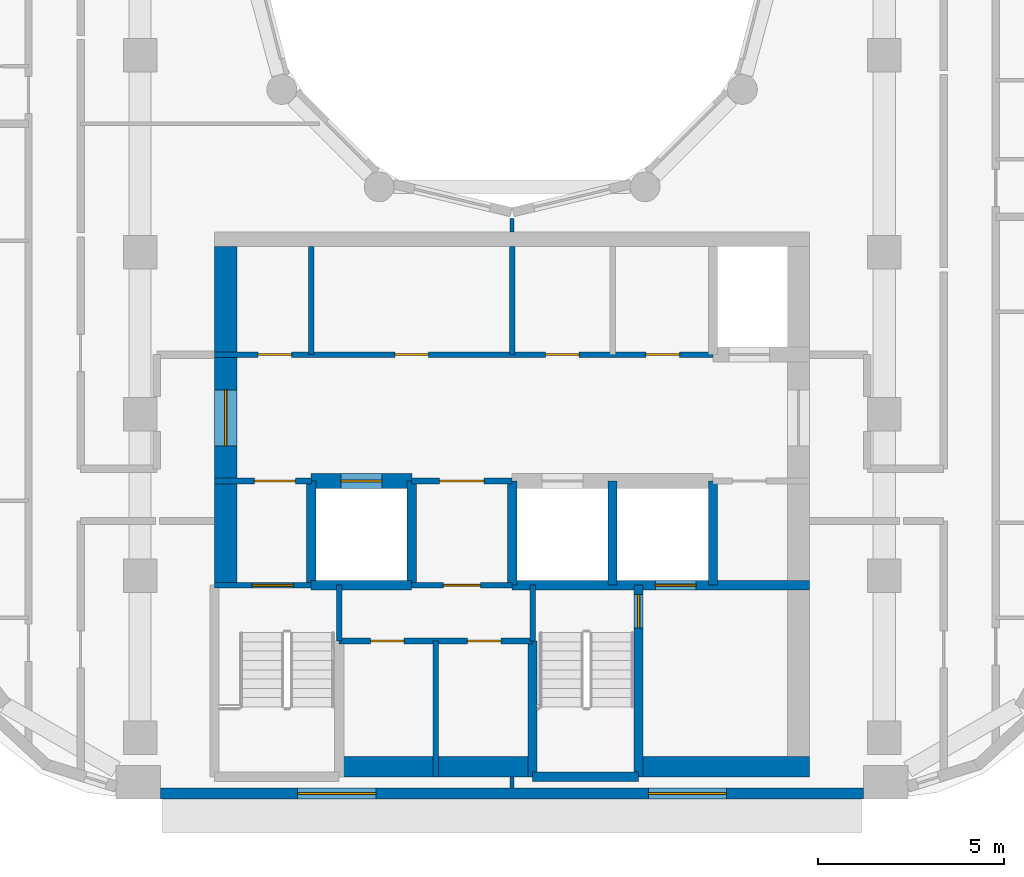
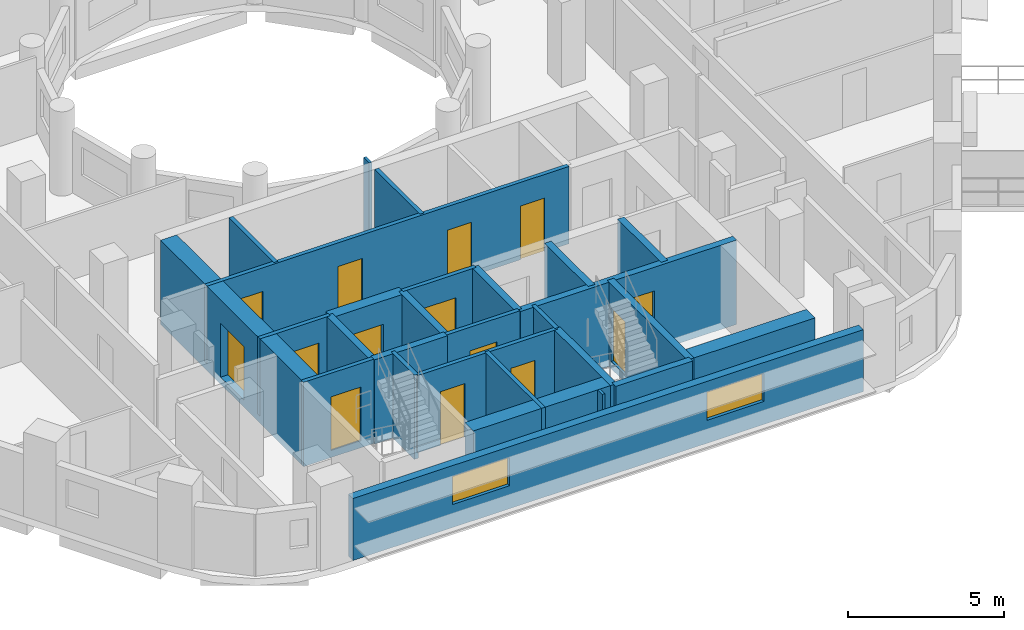
# One storey, part 3 of 16: 28 walls, 14 doors, 2 windows, 16 openings.
"""IFC4 building model written with IfcOpenShell, lengths in metres."""

from ifc_helpers import new_model, si_unit, direction, frame, frame_2d, origin, place, context, subcontext, project, spatial, rectangle, extrude, material, layer, layer_set, type_object, element, fill, save


model = new_model("IFC4")

# Units and contexts
model_context = context("Model", 3, precision=1e-05, world=origin(), true_north=direction((0.0, 1.0)))
body_context = subcontext(model_context, "Body", "Model", "MODEL_VIEW")
ifc_project = project(units=[si_unit("LENGTHUNIT", "METRE"), si_unit("AREAUNIT", "SQUARE_METRE"), si_unit("VOLUMEUNIT", "CUBIC_METRE"), si_unit("PLANEANGLEUNIT", "RADIAN"), si_unit("MASSUNIT", "GRAM", prefix="KILO")], contexts=[model_context])

# Site, building, storey
site_placement = place(None, origin())
site = spatial("IfcSite", under=ifc_project, at=site_placement, CompositionType="ELEMENT")
building_placement = place(site_placement, origin())
building = spatial("IfcBuilding", under=site, at=building_placement, Name="Nakaniwa Court", CompositionType="ELEMENT")
storey_placement = place(building_placement, frame((0.0, 0.0, 196.5)))
storey = spatial("IfcBuildingStorey", under=building, at=storey_placement, Name="L51", CompositionType="ELEMENT", Elevation=196.5)

# Wall, openings, windows
ifc_material_1 = material(Name="Charcoal ceramic cladding")
ifc_layer_1 = layer(ifc_material_1, 0.02, Name="Ceramic cladding")
ifc_material_2 = material(Name="Ventilated air cavity")
ifc_layer_2 = layer(ifc_material_2, 0.04, ventilated=True, Name="Ventilated cavity")
ifc_material_3 = material(Name="Mineral wool insulation")
ifc_layer_3 = layer(ifc_material_3, 0.1, Name="Insulation")
ifc_material_4 = material(Name="Cement bonded sheathing board")
ifc_layer_4 = layer(ifc_material_4, 0.012, Name="Sheathing")
ifc_material_5 = material(Name="Cold-formed galvanised stud frame with mineral wool infill")
ifc_layer_5 = layer(ifc_material_5, 0.1, Name="Stud frame")
ifc_material_6 = material(Name="Fire-rated gypsum plasterboard lining")
ifc_layer_6 = layer(ifc_material_6, 0.028, Name="Lining")
ifc_layer_set_1 = layer_set([ifc_layer_1, ifc_layer_2, ifc_layer_3, ifc_layer_4, ifc_layer_5, ifc_layer_6], Name="Charcoal ceramic faced external wall system")
wall_type_1 = type_object("IfcWallType", Name="Black ceramic faced external wall 300", PredefinedType="SOLIDWALL", material=ifc_layer_set_1)
wall_1_placement = place(storey_placement, frame((70.55078125, 57.5, 0.0), z_axis=(0.0, 0.0, 1.0), x_axis=(1.0, 0.0, 0.0)))
wall_1 = element("IfcWall", 1, at=wall_1_placement, inside=storey, type_object=wall_type_1, Name="L51 external wall 26", PredefinedType="SOLIDWALL", context=body_context, shape_type="SweptSolid", body=[
    extrude(rectangle(XDim=18.892822265625, YDim=0.300048828125, at=frame_2d((9.4462890625, 0.0))), origin(), (0.0, 0.0, 1.0), 2.425048828125),
])
opening_1_placement = place(wall_1_placement, frame((3.6865234375, 0.0, 0.89990234375)))
opening_1 = element("IfcOpeningElement", 2, at=opening_1_placement, cuts=wall_1, Name="Opening W7.26", PredefinedType="OPENING", context=body_context, shape_type="SweptSolid", body=[
    extrude(rectangle(XDim=2.10009765625, YDim=1.10009765625, at=frame_2d((1.050048828125, 0.550048828125))), frame((0.0, 0.159912109375, 0.0), z_axis=(0.0, -1.0, 0.0), x_axis=(1.0, 0.0, 0.0)), (0.0, 0.0, 1.0), 0.320068359375),
])
opening_2_placement = place(wall_1_placement, frame((13.10888671875, 0.0, 0.89990234375)))
opening_2 = element("IfcOpeningElement", 3, at=opening_2_placement, cuts=wall_1, Name="Opening W7.27", PredefinedType="OPENING", context=body_context, shape_type="SweptSolid", body=[
    extrude(rectangle(XDim=2.10009765625, YDim=1.10009765625, at=frame_2d((1.050048828125, 0.550048828125))), frame((0.0, 0.159912109375, 0.0), z_axis=(0.0, -1.0, 0.0), x_axis=(1.0, 0.0, 0.0)), (0.0, 0.0, 1.0), 0.320068359375),
])
ifc_material_7 = material(Name="Black anodised aluminium frame with dark low-E laminated double glazing", Category="aluminium")
window_type = type_object("IfcWindowType", Name="Dark glass window 2100x1100 sill 900", PartitioningType="SINGLE_PANEL", PredefinedType="WINDOW", material=ifc_material_7)
window_1_placement = place(opening_1_placement, origin())
window_1 = element("IfcWindow", 4, at=window_1_placement, inside=storey, type_object=window_type, Name="L51 habitable room window 26-0", OverallHeight=1.10009765625, OverallWidth=2.10009765625, PartitioningType="SINGLE_PANEL", PredefinedType="WINDOW", context=body_context, shape_type="SweptSolid", body=[
    extrude(rectangle(XDim=2.10009765625, YDim=1.10009765625, at=frame_2d((1.050048828125, 0.550048828125))), frame((0.0, 0.030029296875, 0.0), z_axis=(0.0, -1.0, 0.0), x_axis=(1.0, 0.0, 0.0)), (0.0, 0.0, 1.0), 0.06005859375),
])
fill(opening_1, window_1)
window_2_placement = place(opening_2_placement, origin())
window_2 = element("IfcWindow", 5, at=window_2_placement, inside=storey, type_object=window_type, Name="L51 habitable room window 26-1", OverallHeight=1.10009765625, OverallWidth=2.10009765625, PartitioningType="SINGLE_PANEL", PredefinedType="WINDOW", context=body_context, shape_type="SweptSolid", body=[
    extrude(rectangle(XDim=2.10009765625, YDim=1.10009765625, at=frame_2d((1.050048828125, 0.550048828125))), frame((0.0, 0.030029296875, 0.0), z_axis=(0.0, -1.0, 0.0), x_axis=(1.0, 0.0, 0.0)), (0.0, 0.0, 1.0), 0.06005859375),
])
fill(opening_2, window_2)

# Wall
ifc_material_8 = material(Name="Blockwork partition", Category="masonry")
ifc_layer_7 = layer(ifc_material_8, 0.14990234375)
ifc_layer_set_2 = layer_set([ifc_layer_7], Name="Blockwork partition")
wall_type_2 = type_object("IfcWallType", Name="Blockwork partition 150", PredefinedType="PARTITIONING", material=ifc_layer_set_2)
wall_2_placement = place(storey_placement, frame((74.60009765625, 69.300048828125, 0.0), z_axis=(0.0, 0.0, 1.0), x_axis=(0.0, 1.0, 0.0)))
element("IfcWall", 6, at=wall_2_placement, inside=storey, type_object=wall_type_2, Name="Partition PW-035", PredefinedType="PARTITIONING", context=body_context, shape_type="SweptSolid", body=[
    extrude(rectangle(XDim=2.89990234375, YDim=0.14990234375, at=frame_2d((1.449951171875, 0.0))), origin(), (0.0, 0.0, 1.0), 3.02490234375),
])

# Wall, openings, doors
wall_3_placement = place(storey_placement, frame((72.0, 69.300048828125, 0.0), z_axis=(0.0, 0.0, 1.0), x_axis=(1.0, 0.0, 0.0)))
wall_3 = element("IfcWall", 7, at=wall_3_placement, inside=storey, type_object=wall_type_2, Name="Partition PW-036", PredefinedType="PARTITIONING", context=body_context, shape_type="SweptSolid", body=[
    extrude(rectangle(XDim=13.39990234375, YDim=0.14990234375, at=frame_2d((6.699951171875, 0.0))), origin(), (0.0, 0.0, 1.0), 3.02490234375),
])
opening_3_placement = place(wall_3_placement, frame((1.175048828125, 0.0, 0.0)))
opening_3 = element("IfcOpeningElement", 8, at=opening_3_placement, cuts=wall_3, Name="Opening D-05-08", PredefinedType="OPENING", context=body_context, shape_type="SweptSolid", body=[
    extrude(rectangle(XDim=0.89990234375, YDim=2.10009765625, at=frame_2d((0.449951171875, 1.050048828125))), frame((0.0, 0.0849609375, 0.0), z_axis=(0.0, -1.0, 0.0), x_axis=(1.0, 0.0, 0.0)), (0.0, 0.0, 1.0), 0.169921875),
])
opening_4_placement = place(wall_3_placement, frame((4.85009765625, 0.0, 0.0)))
opening_4 = element("IfcOpeningElement", 9, at=opening_4_placement, cuts=wall_3, Name="Opening D-05-09", PredefinedType="OPENING", context=body_context, shape_type="SweptSolid", body=[
    extrude(rectangle(XDim=0.89990234375, YDim=2.10009765625, at=frame_2d((0.449951171875, 1.050048828125))), frame((0.0, 0.0849609375, 0.0), z_axis=(0.0, -1.0, 0.0), x_axis=(1.0, 0.0, 0.0)), (0.0, 0.0, 1.0), 0.169921875),
])
opening_5_placement = place(wall_3_placement, frame((8.89990234375, 0.0, 0.0)))
opening_5 = element("IfcOpeningElement", 10, at=opening_5_placement, cuts=wall_3, Name="Opening D-05-10", PredefinedType="OPENING", context=body_context, shape_type="SweptSolid", body=[
    extrude(rectangle(XDim=0.89990234375, YDim=2.10009765625, at=frame_2d((0.449951171875, 1.050048828125))), frame((0.0, 0.0849609375, 0.0), z_axis=(0.0, -1.0, 0.0), x_axis=(1.0, 0.0, 0.0)), (0.0, 0.0, 1.0), 0.169921875),
])
opening_6_placement = place(wall_3_placement, frame((11.60009765625, 0.0, 0.0)))
opening_6 = element("IfcOpeningElement", 11, at=opening_6_placement, cuts=wall_3, Name="Opening D-05-11", PredefinedType="OPENING", context=body_context, shape_type="SweptSolid", body=[
    extrude(rectangle(XDim=0.89990234375, YDim=2.10009765625, at=frame_2d((0.449951171875, 1.050048828125))), frame((0.0, 0.0849609375, 0.0), z_axis=(0.0, -1.0, 0.0), x_axis=(1.0, 0.0, 0.0)), (0.0, 0.0, 1.0), 0.169921875),
])
ifc_material_9 = material(Name="Fire rated steel door set", Category="steel")
door_type_1 = type_object("IfcDoorType", Name="Service room door 900", OperationType="NOTDEFINED", PredefinedType="DOOR", material=ifc_material_9)
door_1_placement = place(opening_3_placement, origin())
door_1 = element("IfcDoor", 12, at=door_1_placement, inside=storey, type_object=door_type_1, Name="Door D-05-08 L51-013", OperationType="SINGLE_SWING_RIGHT", OverallHeight=2.10009765625, OverallWidth=0.89990234375, PredefinedType="DOOR", context=body_context, shape_type="SweptSolid", body=[
    extrude(rectangle(XDim=0.89990234375, YDim=2.10009765625, at=frame_2d((0.449951171875, 1.050048828125))), frame((0.0, 0.02490234375, 0.0), z_axis=(0.0, -1.0, 0.0), x_axis=(1.0, 0.0, 0.0)), (0.0, 0.0, 1.0), 0.050048828125),
])
fill(opening_3, door_1)
door_2_placement = place(opening_4_placement, origin())
door_2 = element("IfcDoor", 13, at=door_2_placement, inside=storey, type_object=door_type_1, Name="Door D-05-09 L51-014", OperationType="SINGLE_SWING_LEFT", OverallHeight=2.10009765625, OverallWidth=0.89990234375, PredefinedType="DOOR", context=body_context, shape_type="SweptSolid", body=[
    extrude(rectangle(XDim=0.89990234375, YDim=2.10009765625, at=frame_2d((0.449951171875, 1.050048828125))), frame((0.0, 0.02490234375, 0.0), z_axis=(0.0, -1.0, 0.0), x_axis=(1.0, 0.0, 0.0)), (0.0, 0.0, 1.0), 0.050048828125),
])
fill(opening_4, door_2)
door_3_placement = place(opening_5_placement, origin())
door_3 = element("IfcDoor", 14, at=door_3_placement, inside=storey, type_object=door_type_1, Name="Door D-05-10 L51-015", OperationType="SINGLE_SWING_RIGHT", OverallHeight=2.10009765625, OverallWidth=0.89990234375, PredefinedType="DOOR", context=body_context, shape_type="SweptSolid", body=[
    extrude(rectangle(XDim=0.89990234375, YDim=2.10009765625, at=frame_2d((0.449951171875, 1.050048828125))), frame((0.0, 0.02490234375, 0.0), z_axis=(0.0, -1.0, 0.0), x_axis=(1.0, 0.0, 0.0)), (0.0, 0.0, 1.0), 0.050048828125),
])
fill(opening_5, door_3)
door_4_placement = place(opening_6_placement, origin())
door_4 = element("IfcDoor", 15, at=door_4_placement, inside=storey, type_object=door_type_1, Name="Door D-05-11 L51-016", OperationType="SINGLE_SWING_LEFT", OverallHeight=2.10009765625, OverallWidth=0.89990234375, PredefinedType="DOOR", context=body_context, shape_type="SweptSolid", body=[
    extrude(rectangle(XDim=0.89990234375, YDim=2.10009765625, at=frame_2d((0.449951171875, 1.050048828125))), frame((0.0, 0.02490234375, 0.0), z_axis=(0.0, -1.0, 0.0), x_axis=(1.0, 0.0, 0.0)), (0.0, 0.0, 1.0), 0.050048828125),
])
fill(opening_6, door_4)

# Wall
wall_4_placement = place(storey_placement, frame((80.0, 69.300048828125, 0.0), z_axis=(0.0, 0.0, 1.0), x_axis=(0.0, 1.0, 0.0)))
element("IfcWall", 16, at=wall_4_placement, inside=storey, type_object=wall_type_2, Name="Partition PW-042", PredefinedType="PARTITIONING", context=body_context, shape_type="SweptSolid", body=[
    extrude(rectangle(XDim=2.89990234375, YDim=0.14990234375, at=frame_2d((1.449951171875, 0.0))), origin(), (0.0, 0.0, 1.0), 3.02490234375),
])

# Wall, opening, door
wall_5_placement = place(storey_placement, frame((74.60302734375, 65.89990234375, 0.0), z_axis=(0.0, 0.0, 1.0), x_axis=(-1.0, 0.0, 0.0)))
wall_5 = element("IfcWall", 17, at=wall_5_placement, inside=storey, type_object=wall_type_2, Name="Partition PW-044", PredefinedType="PARTITIONING", context=body_context, shape_type="SweptSolid", body=[
    extrude(rectangle(XDim=2.60302734375, YDim=0.14990234375, at=frame_2d((1.301513671875, 0.0))), origin(), (0.0, 0.0, 1.0), 3.02490234375),
])
opening_7_placement = place(wall_5_placement, frame((0.427978515625, 0.0, 0.0)))
opening_7 = element("IfcOpeningElement", 18, at=opening_7_placement, cuts=wall_5, Name="Opening D-08-02", PredefinedType="OPENING", context=body_context, shape_type="SweptSolid", body=[
    extrude(rectangle(XDim=1.10009765625, YDim=2.10009765625, at=frame_2d((0.550048828125, 1.050048828125))), frame((0.0, 0.0849609375, 0.0), z_axis=(0.0, -1.0, 0.0), x_axis=(1.0, 0.0, 0.0)), (0.0, 0.0, 1.0), 0.169921875),
])
door_type_2 = type_object("IfcDoorType", Name="Stair lobby door 1100", OperationType="NOTDEFINED", PredefinedType="DOOR", material=ifc_material_9)
door_5_placement = place(opening_7_placement, origin())
door_5 = element("IfcDoor", 19, at=door_5_placement, inside=storey, type_object=door_type_2, Name="Door D-08-02 L51-017", OperationType="SINGLE_SWING_RIGHT", OverallHeight=2.10009765625, OverallWidth=1.10009765625, PredefinedType="DOOR", context=body_context, shape_type="SweptSolid", body=[
    extrude(rectangle(XDim=1.10009765625, YDim=2.10009765625, at=frame_2d((0.550048828125, 1.050048828125))), frame((0.0, 0.02490234375, 0.0), z_axis=(0.0, -1.0, 0.0), x_axis=(1.0, 0.0, 0.0)), (0.0, 0.0, 1.0), 0.050048828125),
])
fill(opening_7, door_5)

wall_6_placement = place(storey_placement, frame((80.0029296875, 65.89990234375, 0.0), z_axis=(0.0, 0.0, 1.0), x_axis=(-1.0, 0.0, 0.0)))
wall_6 = element("IfcWall", 20, at=wall_6_placement, inside=storey, type_object=wall_type_2, Name="Partition PW-045", PredefinedType="PARTITIONING", context=body_context, shape_type="SweptSolid", body=[
    extrude(rectangle(XDim=2.705810546875, YDim=0.14990234375, at=frame_2d((1.35302734375, 0.0))), origin(), (0.0, 0.0, 1.0), 3.02490234375),
])
opening_8_placement = place(wall_6_placement, frame((0.7529296875, 0.0, 0.0)))
opening_8 = element("IfcOpeningElement", 21, at=opening_8_placement, cuts=wall_6, Name="Opening D-06-02", PredefinedType="OPENING", context=body_context, shape_type="SweptSolid", body=[
    extrude(rectangle(XDim=1.199951171875, YDim=2.10009765625, at=frame_2d((0.60009765625, 1.050048828125))), frame((0.0, 0.0849609375, 0.0), z_axis=(0.0, -1.0, 0.0), x_axis=(1.0, 0.0, 0.0)), (0.0, 0.0, 1.0), 0.169921875),
])
ifc_material_10 = material(Name="Fire rated steel double door set", Category="steel")
door_type_3 = type_object("IfcDoorType", Name="Service passage double door 1200", OperationType="NOTDEFINED", PredefinedType="DOOR", material=ifc_material_10)
door_6_placement = place(opening_8_placement, origin())
door_6 = element("IfcDoor", 22, at=door_6_placement, inside=storey, type_object=door_type_3, Name="Door D-06-02 L51-018", OperationType="DOUBLE_DOOR_SINGLE_SWING", OverallHeight=2.10009765625, OverallWidth=1.199951171875, PredefinedType="DOOR", context=body_context, shape_type="SweptSolid", body=[
    extrude(rectangle(XDim=1.199951171875, YDim=2.10009765625, at=frame_2d((0.60009765625, 1.050048828125))), frame((0.0, 0.02490234375, 0.0), z_axis=(0.0, -1.0, 0.0), x_axis=(1.0, 0.0, 0.0)), (0.0, 0.0, 1.0), 0.050048828125),
])
fill(opening_8, door_6)

wall_7_placement = place(storey_placement, frame((80.0, 63.10009765625, 0.0), z_axis=(0.0, 0.0, 1.0), x_axis=(-1.0, 0.0, 0.0)))
wall_7 = element("IfcWall", 23, at=wall_7_placement, inside=storey, type_object=wall_type_2, Name="Partition PW-055", PredefinedType="PARTITIONING", context=body_context, shape_type="SweptSolid", body=[
    extrude(rectangle(XDim=2.699951171875, YDim=0.14990234375, at=frame_2d((1.35009765625, 0.0))), origin(), (0.0, 0.0, 1.0), 3.02490234375),
])
opening_9_placement = place(wall_7_placement, frame((0.85009765625, 0.0, 0.0)))
opening_9 = element("IfcOpeningElement", 24, at=opening_9_placement, cuts=wall_7, Name="Opening D-23-02", PredefinedType="OPENING", context=body_context, shape_type="SweptSolid", body=[
    extrude(rectangle(XDim=1.0, YDim=2.10009765625, at=frame_2d((0.5, 1.050048828125))), frame((0.0, 0.0849609375, 0.0), z_axis=(0.0, -1.0, 0.0), x_axis=(1.0, 0.0, 0.0)), (0.0, 0.0, 1.0), 0.169921875),
])
door_type_4 = type_object("IfcDoorType", Name="Service room door 1000", OperationType="NOTDEFINED", PredefinedType="DOOR", material=ifc_material_9)
door_7_placement = place(opening_9_placement, origin())
door_7 = element("IfcDoor", 25, at=door_7_placement, inside=storey, type_object=door_type_4, Name="Door D-23-02 L51-020", OperationType="SINGLE_SWING_LEFT", OverallHeight=2.10009765625, OverallWidth=1.0, PredefinedType="DOOR", context=body_context, shape_type="SweptSolid", body=[
    extrude(rectangle(XDim=1.0, YDim=2.10009765625, at=frame_2d((0.5, 1.050048828125))), frame((0.0, 0.02490234375, 0.0), z_axis=(0.0, -1.0, 0.0), x_axis=(1.0, 0.0, 0.0)), (0.0, 0.0, 1.0), 0.050048828125),
])
fill(opening_9, door_7)

# Wall, openings, doors
wall_8_placement = place(storey_placement, frame((80.550048828125, 61.60009765625, 0.0), z_axis=(0.0, 0.0, 1.0), x_axis=(-1.0, 0.0, 0.0)))
wall_8 = element("IfcWall", 26, at=wall_8_placement, inside=storey, type_object=wall_type_2, Name="Partition PW-067", PredefinedType="PARTITIONING", context=body_context, shape_type="SweptSolid", body=[
    extrude(rectangle(XDim=5.199951171875, YDim=0.14990234375, at=frame_2d((2.60009765625, 0.0))), origin(), (0.0, 0.0, 1.0), 3.02490234375),
])
opening_10_placement = place(wall_8_placement, frame((3.449951171875, 0.0, 0.0)))
opening_10 = element("IfcOpeningElement", 27, at=opening_10_placement, cuts=wall_8, Name="Opening D-05-13", PredefinedType="OPENING", context=body_context, shape_type="SweptSolid", body=[
    extrude(rectangle(XDim=0.89990234375, YDim=2.10009765625, at=frame_2d((0.449951171875, 1.050048828125))), frame((0.0, 0.0849609375, 0.0), z_axis=(0.0, -1.0, 0.0), x_axis=(1.0, 0.0, 0.0)), (0.0, 0.0, 1.0), 0.169921875),
])
opening_11_placement = place(wall_8_placement, frame((0.85009765625, 0.0, 0.0)))
opening_11 = element("IfcOpeningElement", 28, at=opening_11_placement, cuts=wall_8, Name="Opening D-05-14", PredefinedType="OPENING", context=body_context, shape_type="SweptSolid", body=[
    extrude(rectangle(XDim=0.89990234375, YDim=2.10009765625, at=frame_2d((0.449951171875, 1.050048828125))), frame((0.0, 0.0849609375, 0.0), z_axis=(0.0, -1.0, 0.0), x_axis=(1.0, 0.0, 0.0)), (0.0, 0.0, 1.0), 0.169921875),
])
door_8_placement = place(opening_10_placement, origin())
door_8 = element("IfcDoor", 29, at=door_8_placement, inside=storey, type_object=door_type_1, Name="Door D-05-13 L51-021", OperationType="SINGLE_SWING_RIGHT", OverallHeight=2.10009765625, OverallWidth=0.89990234375, PredefinedType="DOOR", context=body_context, shape_type="SweptSolid", body=[
    extrude(rectangle(XDim=0.89990234375, YDim=2.10009765625, at=frame_2d((0.449951171875, 1.050048828125))), frame((0.0, 0.02490234375, 0.0), z_axis=(0.0, -1.0, 0.0), x_axis=(1.0, 0.0, 0.0)), (0.0, 0.0, 1.0), 0.050048828125),
])
fill(opening_10, door_8)
door_9_placement = place(opening_11_placement, origin())
door_9 = element("IfcDoor", 30, at=door_9_placement, inside=storey, type_object=door_type_1, Name="Door D-05-14 L51-022", OperationType="SINGLE_SWING_LEFT", OverallHeight=2.10009765625, OverallWidth=0.89990234375, PredefinedType="DOOR", context=body_context, shape_type="SweptSolid", body=[
    extrude(rectangle(XDim=0.89990234375, YDim=2.10009765625, at=frame_2d((0.449951171875, 1.050048828125))), frame((0.0, 0.02490234375, 0.0), z_axis=(0.0, -1.0, 0.0), x_axis=(1.0, 0.0, 0.0)), (0.0, 0.0, 1.0), 0.050048828125),
])
fill(opening_11, door_9)

# Wall
wall_9_placement = place(storey_placement, frame((77.949951171875, 57.949951171875, 0.0), z_axis=(0.0, 0.0, 1.0), x_axis=(0.0, 1.0, 0.0)))
element("IfcWall", 31, at=wall_9_placement, inside=storey, type_object=wall_type_2, Name="Partition PW-068", PredefinedType="PARTITIONING", context=body_context, shape_type="SweptSolid", body=[
    extrude(rectangle(XDim=3.650146484375, YDim=0.14990234375, at=frame_2d((1.8251953125, 0.0))), origin(), (0.0, 0.0, 1.0), 3.02490234375),
])

# Wall, opening, door
ifc_material_11 = material(Name="Concrete C80/100", Category="concrete")
ifc_layer_8 = layer(ifc_material_11, 0.60009765625)
ifc_layer_set_3 = layer_set([ifc_layer_8], Name="Concrete C80/100")
wall_type_3 = type_object("IfcWallType", Name="Concrete core side wall 600 C80", PredefinedType="SHEAR", material=ifc_layer_set_3)
wall_10_placement = place(storey_placement, frame((72.300048828125, 63.10009765625, -0.27490234375), z_axis=(0.0, 0.0, 1.0), x_axis=(0.0, 1.0, 0.0)))
wall_10 = element("IfcWall", 32, at=wall_10_placement, inside=storey, type_object=wall_type_3, Name="Core wall SW-37", PredefinedType="SHEAR", context=body_context, shape_type="SweptSolid", body=[
    extrude(rectangle(XDim=9.099853515625, YDim=0.60009765625, at=frame_2d((4.5498046875, 0.0))), origin(), (0.0, 0.0, 1.0), 3.2998046875),
])
opening_12_placement = place(wall_10_placement, frame((3.748046875, 0.0, 0.27490234375)))
opening_12 = element("IfcOpeningElement", 33, at=opening_12_placement, cuts=wall_10, Name="Opening D-07-04", PredefinedType="OPENING", context=body_context, shape_type="SweptSolid", body=[
    extrude(rectangle(XDim=1.5, YDim=2.10009765625, at=frame_2d((0.75, 1.050048828125))), frame((0.0, 0.31005859375, 0.0), z_axis=(0.0, -1.0, 0.0), x_axis=(1.0, 0.0, 0.0)), (0.0, 0.0, 1.0), 0.6201171875),
])
ifc_material_12 = material(Name="Glazed fire rated steel double door set", Category="steel")
door_type_5 = type_object("IfcDoorType", Name="Lobby double door 1500", OperationType="NOTDEFINED", PredefinedType="DOOR", material=ifc_material_12)
door_10_placement = place(opening_12_placement, origin())
door_10 = element("IfcDoor", 34, at=door_10_placement, inside=storey, type_object=door_type_5, Name="Door D-07-04 L51-062", OperationType="DOUBLE_DOOR_SINGLE_SWING", OverallHeight=2.10009765625, OverallWidth=1.5, PredefinedType="DOOR", context=body_context, shape_type="SweptSolid", body=[
    extrude(rectangle(XDim=1.5, YDim=2.10009765625, at=frame_2d((0.75, 1.050048828125))), frame((0.0, 0.02490234375, 0.0), z_axis=(0.0, -1.0, 0.0), x_axis=(1.0, 0.0, 0.0)), (0.0, 0.0, 1.0), 0.050048828125),
])
fill(opening_12, door_10)

ifc_layer_9 = layer(ifc_material_11, 0.39990234375)
ifc_layer_set_4 = layer_set([ifc_layer_9], Name="Concrete C80/100")
wall_type_4 = type_object("IfcWallType", Name="Concrete core spine wall 400 C80", PredefinedType="SHEAR", material=ifc_layer_set_4)
wall_11_placement = place(storey_placement, frame((74.596923828125, 65.89990234375, -0.27490234375), z_axis=(0.0, 0.0, 1.0), x_axis=(1.0, 0.0, 0.0)))
wall_11 = element("IfcWall", 35, at=wall_11_placement, inside=storey, type_object=wall_type_4, Name="Core wall SW-47", PredefinedType="SHEAR", context=body_context, shape_type="SweptSolid", body=[
    extrude(rectangle(XDim=2.7060546875, YDim=0.39990234375, at=frame_2d((1.35302734375, 0.0))), origin(), (0.0, 0.0, 1.0), 3.2998046875),
])
opening_13_placement = place(wall_11_placement, frame((0.802978515625, 0.0, 0.27490234375)))
opening_13 = element("IfcOpeningElement", 36, at=opening_13_placement, cuts=wall_11, Name="Opening LD06", PredefinedType="OPENING", context=body_context, shape_type="SweptSolid", body=[
    extrude(rectangle(XDim=1.10009765625, YDim=2.10009765625, at=frame_2d((0.550048828125, 1.050048828125))), frame((0.0, 0.2099609375, 0.0), z_axis=(0.0, -1.0, 0.0), x_axis=(1.0, 0.0, 0.0)), (0.0, 0.0, 1.0), 0.419921875),
])
ifc_material_13 = material(Name="Stainless steel sliding lift landing door", Category="steel")
door_type_6 = type_object("IfcDoorType", Name="Lift landing door 1100", OperationType="NOTDEFINED", PredefinedType="DOOR", material=ifc_material_13)
door_11_placement = place(opening_13_placement, origin())
door_11 = element("IfcDoor", 37, at=door_11_placement, inside=storey, type_object=door_type_6, Name="Lift landing door LD06 L51-006", OperationType="SLIDING_TO_LEFT", OverallHeight=2.10009765625, OverallWidth=1.10009765625, PredefinedType="DOOR", context=body_context, shape_type="SweptSolid", body=[
    extrude(rectangle(XDim=1.10009765625, YDim=2.10009765625, at=frame_2d((0.550048828125, 1.050048828125))), frame((0.0, 0.02490234375, 0.0), z_axis=(0.0, -1.0, 0.0), x_axis=(1.0, 0.0, 0.0)), (0.0, 0.0, 1.0), 0.050048828125),
])
fill(opening_13, door_11)

ifc_layer_10 = layer(ifc_material_11, 0.14990234375)
ifc_layer_set_5 = layer_set([ifc_layer_10], Name="Concrete C80/100")
wall_type_5 = type_object("IfcWallType", Name="Concrete core wall 150 C80", PredefinedType="SHEAR", material=ifc_layer_set_5)
wall_12_placement = place(storey_placement, frame((72.0, 63.10009765625, -0.27490234375), z_axis=(0.0, 0.0, 1.0), x_axis=(1.0, 0.0, 0.0)))
wall_12 = element("IfcWall", 38, at=wall_12_placement, inside=storey, type_object=wall_type_5, Name="Core wall SW-50", PredefinedType="SHEAR", context=body_context, shape_type="SweptSolid", body=[
    extrude(rectangle(XDim=2.60009765625, YDim=0.14990234375, at=frame_2d((1.300048828125, 0.0))), origin(), (0.0, 0.0, 1.0), 3.2998046875),
])
opening_14_placement = place(wall_12_placement, frame((1.02001953125, 0.0, 0.27490234375)))
opening_14 = element("IfcOpeningElement", 39, at=opening_14_placement, cuts=wall_12, Name="Opening D-09-02", PredefinedType="OPENING", context=body_context, shape_type="SweptSolid", body=[
    extrude(rectangle(XDim=1.10009765625, YDim=2.10009765625, at=frame_2d((0.550048828125, 1.050048828125))), frame((0.0, 0.0849609375, 0.0), z_axis=(0.0, -1.0, 0.0), x_axis=(1.0, 0.0, 0.0)), (0.0, 0.0, 1.0), 0.169921875),
])
door_type_7 = type_object("IfcDoorType", Name="Stair door 1100", OperationType="NOTDEFINED", PredefinedType="DOOR", material=ifc_material_9)
door_12_placement = place(opening_14_placement, origin())
door_12 = element("IfcDoor", 40, at=door_12_placement, inside=storey, type_object=door_type_7, Name="Door D-09-02 L51-023", OperationType="SINGLE_SWING_LEFT", OverallHeight=2.10009765625, OverallWidth=1.10009765625, PredefinedType="DOOR", context=body_context, shape_type="SweptSolid", body=[
    extrude(rectangle(XDim=1.10009765625, YDim=2.10009765625, at=frame_2d((0.550048828125, 1.050048828125))), frame((0.0, 0.02490234375, 0.0), z_axis=(0.0, -1.0, 0.0), x_axis=(1.0, 0.0, 0.0)), (0.0, 0.0, 1.0), 0.050048828125),
])
fill(opening_14, door_12)

# Walls
for number, where, z_axis, x_axis, name in (
    (41, (75.35009765625, 61.596923828125, -0.27490234375), (0.0, 0.0, 1.0), (0.0, 1.0, 0.0), "Core wall SW-57"),
    (42, (80.550048828125, 61.596923828125, -0.27490234375), (0.0, 0.0, 1.0), (0.0, 1.0, 0.0), "Core wall SW-63"),
):
    element("IfcWall", number, at=place(storey_placement, frame(where, z_axis=z_axis, x_axis=x_axis)), inside=storey, type_object=wall_type_5, Name=name, PredefinedType="SHEAR", context=body_context, shape_type="SweptSolid", body=[
        extrude(rectangle(XDim=1.503173828125, YDim=0.14990234375, at=frame_2d((0.75146484375, 0.0))), origin(), (0.0, 0.0, 1.0), 3.2998046875),
    ])
ifc_layer_11 = layer(ifc_material_11, 0.25)
ifc_layer_set_6 = layer_set([ifc_layer_11], Name="Concrete C80/100")
wall_type_6 = type_object("IfcWallType", Name="Concrete core wall 250 C80", PredefinedType="SHEAR", material=ifc_layer_set_6)
wall_13_placement = place(storey_placement, frame((80.550048828125, 57.949951171875, -0.27490234375), z_axis=(0.0, 0.0, 1.0), x_axis=(1.0, 0.0, 0.0)))
element("IfcWall", 43, at=wall_13_placement, inside=storey, type_object=wall_type_6, Name="Core wall SW-61", PredefinedType="SHEAR", context=body_context, shape_type="SweptSolid", body=[
    extrude(rectangle(XDim=2.849853515625, YDim=0.25, at=frame_2d((1.4248046875, 0.0))), origin(), (0.0, 0.0, 1.0), 3.2998046875),
])
ifc_layer_12 = layer(ifc_material_11, 0.550048828125)
ifc_layer_set_7 = layer_set([ifc_layer_12], Name="Concrete C80/100")
wall_type_7 = type_object("IfcWallType", Name="Concrete core wall 550 C80", PredefinedType="SHEAR", material=ifc_layer_set_7)
wall_14_placement = place(storey_placement, frame((75.35009765625, 58.22509765625, -0.27490234375), z_axis=(0.0, 0.0, 1.0), x_axis=(1.0, 0.0, 0.0)))
element("IfcWall", 44, at=wall_14_placement, inside=storey, type_object=wall_type_7, Name="Core wall SW-65", PredefinedType="SHEAR", context=body_context, shape_type="SweptSolid", body=[
    extrude(rectangle(XDim=5.199951171875, YDim=0.550048828125, at=frame_2d((2.60009765625, 0.0))), origin(), (0.0, 0.0, 1.0), 3.2998046875),
])
wall_15_placement = place(storey_placement, frame((83.39990234375, 58.22509765625, -0.27490234375), z_axis=(0.0, 0.0, 1.0), x_axis=(1.0, 0.0, 0.0)))
element("IfcWall", 45, at=wall_15_placement, inside=storey, type_object=wall_type_7, Name="Core wall SW-66", PredefinedType="SHEAR", context=body_context, shape_type="SweptSolid", body=[
    extrude(rectangle(XDim=4.60009765625, YDim=0.550048828125, at=frame_2d((2.300048828125, 0.0))), origin(), (0.0, 0.0, 1.0), 3.2998046875),
])
ifc_layer_13 = layer(ifc_material_11, 0.25)
ifc_layer_set_8 = layer_set([ifc_layer_13], Name="Concrete C80/100")
wall_type_8 = type_object("IfcWallType", Name="Concrete shaft wall 250 C80", PredefinedType="SHEAR", material=ifc_layer_set_8)
for number, where, z_axis, x_axis, name in (
    (46, (85.39990234375, 63.10009765625, -0.27490234375), (0.0, 0.0, 1.0), (0.0, 1.0, 0.0), "Core wall SW-38"),
    (47, (74.60009765625, 63.10009765625, -0.27490234375), (0.0, 0.0, 1.0), (0.0, 1.0, 0.0), "Core wall SW-49"),
    (48, (77.300048828125, 63.10009765625, -0.27490234375), (0.0, 0.0, 1.0), (0.0, 1.0, 0.0), "Core wall SW-51"),
):
    element("IfcWall", number, at=place(storey_placement, frame(where, z_axis=z_axis, x_axis=x_axis)), inside=storey, type_object=wall_type_8, Name=name, PredefinedType="SHEAR", context=body_context, shape_type="SweptSolid", body=[
        extrude(rectangle(XDim=2.7998046875, YDim=0.25, at=frame_2d((1.39990234375, 0.0))), origin(), (0.0, 0.0, 1.0), 3.2998046875),
    ])
wall_16_placement = place(storey_placement, frame((74.60009765625, 63.10009765625, -0.27490234375), z_axis=(0.0, 0.0, 1.0), x_axis=(1.0, 0.0, 0.0)))
element("IfcWall", 49, at=wall_16_placement, inside=storey, type_object=wall_type_8, Name="Core wall SW-52", PredefinedType="SHEAR", context=body_context, shape_type="SweptSolid", body=[
    extrude(rectangle(XDim=2.699951171875, YDim=0.25, at=frame_2d((1.35009765625, 0.0))), origin(), (0.0, 0.0, 1.0), 3.2998046875),
])

# Wall, opening, door
wall_17_placement = place(storey_placement, frame((80.0, 63.10009765625, -0.27490234375), z_axis=(0.0, 0.0, 1.0), x_axis=(1.0, 0.0, 0.0)))
wall_17 = element("IfcWall", 50, at=wall_17_placement, inside=storey, type_object=wall_type_8, Name="Core wall SW-53", PredefinedType="SHEAR", context=body_context, shape_type="SweptSolid", body=[
    extrude(rectangle(XDim=8.0, YDim=0.25, at=frame_2d((4.0, 0.0))), origin(), (0.0, 0.0, 1.0), 3.2998046875),
])
opening_15_placement = place(wall_17_placement, frame((3.84912109375, 0.0, 0.27490234375)))
opening_15 = element("IfcOpeningElement", 51, at=opening_15_placement, cuts=wall_17, Name="Opening LD08", PredefinedType="OPENING", context=body_context, shape_type="SweptSolid", body=[
    extrude(rectangle(XDim=1.10009765625, YDim=2.10009765625, at=frame_2d((0.550048828125, 1.050048828125))), frame((0.0, 0.135009765625, 0.0), z_axis=(0.0, -1.0, 0.0), x_axis=(1.0, 0.0, 0.0)), (0.0, 0.0, 1.0), 0.27001953125),
])
door_13_placement = place(opening_15_placement, origin())
door_13 = element("IfcDoor", 52, at=door_13_placement, inside=storey, type_object=door_type_6, Name="Lift landing door LD08 L51-008", OperationType="SLIDING_TO_LEFT", OverallHeight=2.10009765625, OverallWidth=1.10009765625, PredefinedType="DOOR", context=body_context, shape_type="SweptSolid", body=[
    extrude(rectangle(XDim=1.10009765625, YDim=2.10009765625, at=frame_2d((0.550048828125, 1.050048828125))), frame((0.0, 0.02490234375, 0.0), z_axis=(0.0, -1.0, 0.0), x_axis=(1.0, 0.0, 0.0)), (0.0, 0.0, 1.0), 0.050048828125),
])
fill(opening_15, door_13)

# Walls
for number, where, z_axis, x_axis, name in (
    (53, (80.0, 63.10009765625, -0.27490234375), (0.0, 0.0, 1.0), (0.0, 1.0, 0.0), "Core wall SW-54"),
    (54, (82.699951171875, 63.10009765625, -0.27490234375), (0.0, 0.0, 1.0), (0.0, 1.0, 0.0), "Core wall SW-56"),
):
    element("IfcWall", number, at=place(storey_placement, frame(where, z_axis=z_axis, x_axis=x_axis)), inside=storey, type_object=wall_type_8, Name=name, PredefinedType="SHEAR", context=body_context, shape_type="SweptSolid", body=[
        extrude(rectangle(XDim=2.7998046875, YDim=0.25, at=frame_2d((1.39990234375, 0.0))), origin(), (0.0, 0.0, 1.0), 3.2998046875),
    ])

# Wall, opening, door
wall_18_placement = place(storey_placement, frame((83.39990234375, 63.10009765625, -0.27490234375), z_axis=(0.0, 0.0, 1.0), x_axis=(0.0, -1.0, 0.0)))
wall_18 = element("IfcWall", 55, at=wall_18_placement, inside=storey, type_object=wall_type_8, Name="Core wall SW-62", PredefinedType="SHEAR", context=body_context, shape_type="SweptSolid", body=[
    extrude(rectangle(XDim=5.150146484375, YDim=0.25, at=frame_2d((2.5751953125, 0.0))), origin(), (0.0, 0.0, 1.0), 3.2998046875),
])
opening_16_placement = place(wall_18_placement, frame((0.25, 0.0, 0.27490234375)))
opening_16 = element("IfcOpeningElement", 56, at=opening_16_placement, cuts=wall_18, Name="Opening D-11-02", PredefinedType="OPENING", context=body_context, shape_type="SweptSolid", body=[
    extrude(rectangle(XDim=0.89990234375, YDim=2.10009765625, at=frame_2d((0.449951171875, 1.050048828125))), frame((0.0, 0.135009765625, 0.0), z_axis=(0.0, -1.0, 0.0), x_axis=(1.0, 0.0, 0.0)), (0.0, 0.0, 1.0), 0.27001953125),
])
door_type_8 = type_object("IfcDoorType", Name="Stair door 900", OperationType="NOTDEFINED", PredefinedType="DOOR", material=ifc_material_9)
door_14_placement = place(opening_16_placement, origin())
door_14 = element("IfcDoor", 57, at=door_14_placement, inside=storey, type_object=door_type_8, Name="Door D-11-02 L51-024", OperationType="SINGLE_SWING_RIGHT", OverallHeight=2.10009765625, OverallWidth=0.89990234375, PredefinedType="DOOR", context=body_context, shape_type="SweptSolid", body=[
    extrude(rectangle(XDim=0.89990234375, YDim=2.10009765625, at=frame_2d((0.449951171875, 1.050048828125))), frame((0.0, 0.02490234375, 0.0), z_axis=(0.0, -1.0, 0.0), x_axis=(1.0, 0.0, 0.0)), (0.0, 0.0, 1.0), 0.050048828125),
])
fill(opening_16, door_14)

# Walls
wall_19_placement = place(storey_placement, frame((80.550048828125, 57.949951171875, -0.27490234375), z_axis=(0.0, 0.0, 1.0), x_axis=(0.0, 1.0, 0.0)))
element("IfcWall", 58, at=wall_19_placement, inside=storey, type_object=wall_type_8, Name="Core wall SW-64", PredefinedType="SHEAR", context=body_context, shape_type="SweptSolid", body=[
    extrude(rectangle(XDim=3.653076171875, YDim=0.25, at=frame_2d((1.82666015625, 0.0))), origin(), (0.0, 0.0, 1.0), 3.2998046875),
])
ifc_material_14 = material(Name="Single stud plasterboard partition")
ifc_layer_14 = layer(ifc_material_14, 0.10009765625)
ifc_layer_set_9 = layer_set([ifc_layer_14], Name="Single stud plasterboard partition")
wall_type_9 = type_object("IfcWallType", Name="Single stud plasterboard partition 100", PredefinedType="PARTITIONING", material=ifc_layer_set_9)
wall_20_placement = place(storey_placement, frame((80.0, 57.64990234375, 0.0), z_axis=(0.0, 0.0, 1.0), x_axis=(0.0, 1.0, 0.0)))
element("IfcWall", 59, at=wall_20_placement, inside=storey, type_object=wall_type_9, Name="Partition PW-107", PredefinedType="PARTITIONING", context=body_context, shape_type="SweptSolid", body=[
    extrude(rectangle(XDim=0.300048828125, YDim=0.10009765625, at=frame_2d((0.14990234375, 0.0))), origin(), (0.0, 0.0, 1.0), 3.02490234375),
])
wall_21_placement = place(storey_placement, frame((80.0, 72.60009765625, 0.0), z_axis=(0.0, 0.0, 1.0), x_axis=(0.0, 1.0, 0.0)))
element("IfcWall", 60, at=wall_21_placement, inside=storey, type_object=wall_type_9, Name="Partition PW-108", PredefinedType="PARTITIONING", context=body_context, shape_type="SweptSolid", body=[
    extrude(rectangle(XDim=0.351806640625, YDim=0.10009765625, at=frame_2d((0.17578125, 0.0))), origin(), (0.0, 0.0, 1.0), 3.02490234375),
])

save(model, "model.ifc")
